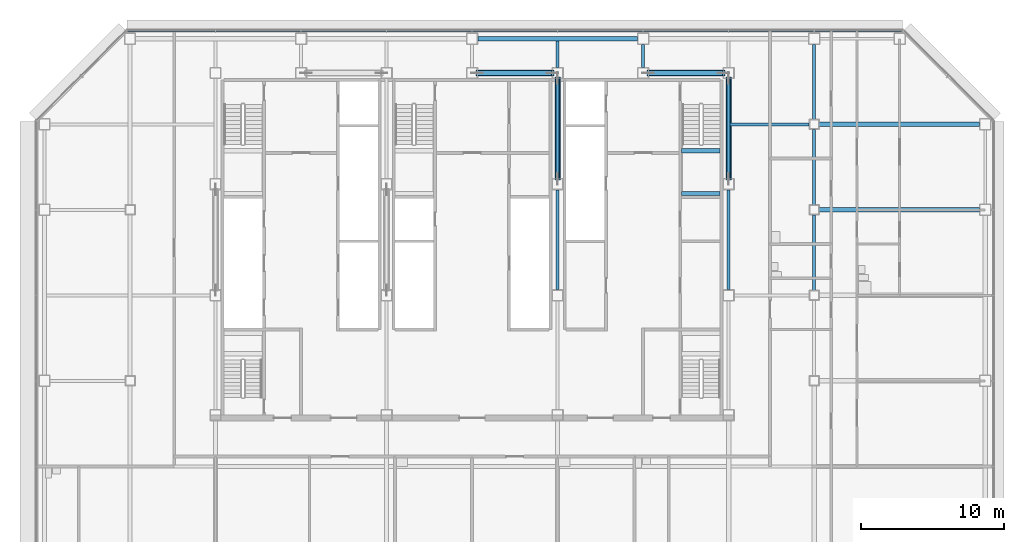
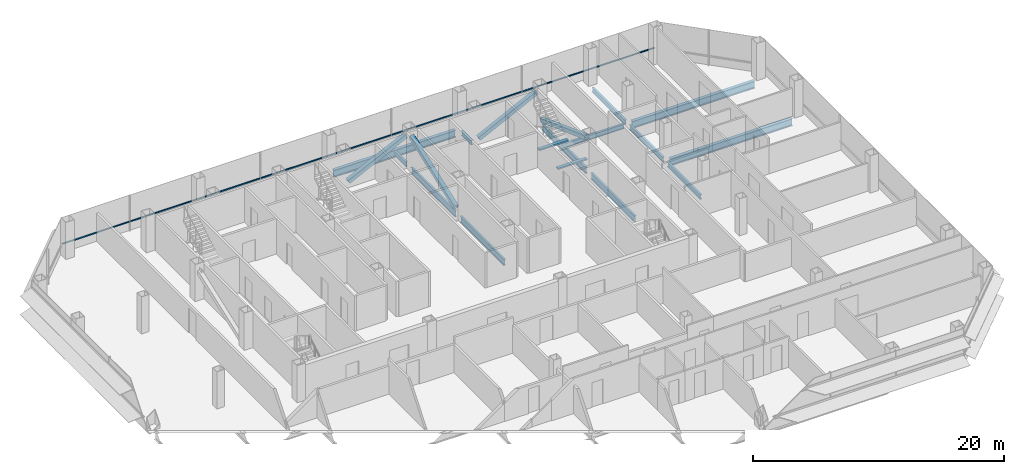
# One storey, part 13 of 25: 15 beams, 5 members, 1 element without a shape of its own.
"""IFC4 building model written with IfcOpenShell, lengths in metres."""

from ifc_helpers import new_model, si_unit, direction, frame, origin, origin_2d, place, context, subcontext, project, spatial, rectangle, hollow_rectangle, i_section, extrude, material, material_profile, profile_set, type_object, element, aggregate, save


model = new_model("IFC4")

# Units and contexts
model_context = context("Model", 3, precision=1e-05, world=origin(), true_north=direction((0.0, 1.0)))
body_context = subcontext(model_context, "Body", "Model", "MODEL_VIEW")
ifc_project = project(units=[si_unit("LENGTHUNIT", "METRE"), si_unit("AREAUNIT", "SQUARE_METRE"), si_unit("VOLUMEUNIT", "CUBIC_METRE"), si_unit("PLANEANGLEUNIT", "RADIAN"), si_unit("MASSUNIT", "GRAM", prefix="KILO")], contexts=[model_context])

# Site, building, storey
site_placement = place(None, origin())
site = spatial("IfcSite", under=ifc_project, at=site_placement, CompositionType="ELEMENT")
building_placement = place(site_placement, origin())
building = spatial("IfcBuilding", under=site, at=building_placement, Name="Sorahane Residences", CompositionType="ELEMENT")
storey_placement = place(building_placement, frame((0.0, 0.0, 119.60009765625)))
storey = spatial("IfcBuildingStorey", under=building, at=storey_placement, Name="L26", CompositionType="ELEMENT", Elevation=119.60009765625)

# Members
ifc_material_1 = material(Name="Steel Q355B", Category="steel")
ifc_material_profile_1 = material_profile(ifc_material_1, hollow_rectangle(XDim=0.39990234375, YDim=0.39990234375, WallThickness=0.02001953125, InnerFilletRadius=0.010009765625, OuterFilletRadius=0.030029296875, at=origin_2d()), Name="RHS 400x400x20")
ifc_profile_set_1 = profile_set([ifc_material_profile_1], Name="Steel Q355B")
member_type_1 = type_object("IfcMemberType", Name="Core brace RHS 400x400x20 Q355B", PredefinedType="BRACE", material=ifc_profile_set_1)
for number, where, z_axis, x_axis, name in (
    (1, (24.346923828125, 45.60009765625, 0.173583984375), (0.896480070819, 0.0, 0.443084058192), (0.0, 1.0, 0.0), "Core brace L26 y45.6-4"),
    (2, (36.346923828125, 45.60009765625, 0.173583984375), (0.896480070819, 0.0, 0.443084058192), (0.0, 1.0, 0.0), "Core brace L26 y45.6-6"),
):
    element("IfcMember", number, at=place(storey_placement, frame(where, z_axis=z_axis, x_axis=x_axis)), inside=storey, type_object=member_type_1, Name=name, PredefinedType="BRACE", context=body_context, shape_type="SweptSolid", body=[
        extrude(hollow_rectangle(XDim=0.39990234375, YDim=0.39990234375, WallThickness=0.02001953125, InnerFilletRadius=0.010009765625, OuterFilletRadius=0.030029296875, at=origin_2d()), origin(), (0.0, 0.0, 1.0), 5.9189453125),
    ])
for number, where, z_axis, x_axis, name in (
    (3, (42.0, 45.241455078125, 0.184814453125), (0.0, -0.938733651637, 0.344643484319), (1.0, 0.0, 0.0), "Core brace L26 x42-3"),
    (4, (30.0, 38.15869140625, 0.184814453125), (0.0, 0.938733651637, 0.344643484319), (-1.0, 0.0, 0.0), "Core brace L26 x30-2"),
):
    element("IfcMember", number, at=place(storey_placement, frame(where, z_axis=z_axis, x_axis=x_axis)), inside=storey, type_object=member_type_1, Name=name, PredefinedType="BRACE", context=body_context, shape_type="SweptSolid", body=[
        extrude(hollow_rectangle(XDim=0.39990234375, YDim=0.39990234375, WallThickness=0.02001953125, InnerFilletRadius=0.010009765625, OuterFilletRadius=0.030029296875, at=origin_2d()), origin(), (0.0, 0.0, 1.0), 7.544921875),
    ])

# Curtain wall, member
ifc_material_2 = material(Name="Dark low-e glass and black anodised aluminium", Category="aluminium")
curtain_wall_type = type_object("IfcCurtainWallType", Name="Curtain wall CW-1 Typical unitised wall", PredefinedType="NOTDEFINED", material=ifc_material_2)
curtain_wall_placement = place(storey_placement, origin())
curtain_wall = element("IfcCurtainWall", 5, at=curtain_wall_placement, inside=storey, type_object=curtain_wall_type, Name="CW-1 curtain wall L26 N1", PredefinedType="NOTDEFINED")
ifc_material_3 = material(Name="Black anodised aluminium", Category="aluminium")
ifc_material_profile_2 = material_profile(ifc_material_3, rectangle(XDim=0.10009765625, YDim=0.06005859375, at=origin_2d()), Name="Curtain wall transom CW-1 black anodised aluminium 60x100")
ifc_profile_set_2 = profile_set([ifc_material_profile_2], Name="Black anodised aluminium")
member_type_2 = type_object("IfcMemberType", Name="Curtain wall transom CW-1 black anodised aluminium 60x100", PredefinedType="USERDEFINED", material=ifc_profile_set_2)
member_placement = place(storey_placement, frame((54.198486328125, 48.530029296875, 0.89990234375), z_axis=(-1.0, 0.0, 0.0), x_axis=(0.0, -1.0, 0.0)))
member = element("IfcMember", 6, at=member_placement, type_object=member_type_2, Name="CW-1 transom L26 N1", ObjectType="TRANSOM", PredefinedType="USERDEFINED", context=body_context, shape_type="SweptSolid", body=[
    extrude(rectangle(XDim=0.10009765625, YDim=0.06005859375, at=origin_2d()), origin(), (0.0, 0.0, 1.0), 54.39697265625),
])
aggregate(curtain_wall, [member])

# Beams
ifc_material_4 = material(Name="Concrete C40", Category="concrete")
ifc_material_profile_3 = material_profile(ifc_material_4, rectangle(XDim=0.300048828125, YDim=0.139892578125, at=origin_2d()), Name="300x140")
ifc_profile_set_3 = profile_set([ifc_material_profile_3], Name="Concrete C40")
beam_type_1 = type_object("IfcBeamType", Name="RC landing beam 300 x 140 Concrete C40", PredefinedType="BEAM", material=ifc_profile_set_3)
for number, where, z_axis, x_axis, name in (
    (7, (38.699951171875, 37.14990234375, 1.52978515625), (1.0, 0.0, 0.0), (0.0, 1.0, 0.0), "Landing beam"),
    (8, (38.699951171875, 40.14990234375, 1.52978515625), (1.0, 0.0, 0.0), (0.0, 1.0, 0.0), "Landing beam"),
):
    element("IfcBeam", number, at=place(storey_placement, frame(where, z_axis=z_axis, x_axis=x_axis)), inside=storey, type_object=beam_type_1, Name=name, PredefinedType="BEAM", context=body_context, shape_type="SweptSolid", body=[
        extrude(rectangle(XDim=0.300048828125, YDim=0.139892578125, at=origin_2d()), origin(), (0.0, 0.0, 1.0), 2.699951171875),
    ])
ifc_material_5 = material(Name="Steel Q355B", Category="steel")
ifc_material_profile_4 = material_profile(ifc_material_5, i_section(OverallWidth=0.199951171875, OverallDepth=0.449951171875, WebThickness=0.009033203125, FlangeThickness=0.013916015625, FilletRadius=0.02001953125, at=origin_2d()), Name="HN 450x200x9x14")
ifc_profile_set_4 = profile_set([ifc_material_profile_4], Name="Steel Q355B")
beam_type_2 = type_object("IfcBeamType", Name="Steel floor beam HN 450x200x9x14 Q355B", PredefinedType="BEAM", material=ifc_profile_set_4)
beam_1_placement = place(storey_placement, frame((30.0, 46.0, -0.405029296875), z_axis=(0.0, 1.0, 0.0), x_axis=(-1.0, 0.0, 0.0)))
element("IfcBeam", 9, at=beam_1_placement, inside=storey, type_object=beam_type_2, Name="Beam L26 049", PredefinedType="BEAM", context=body_context, shape_type="SweptSolid", body=[
    extrude(i_section(OverallWidth=0.199951171875, OverallDepth=0.449951171875, WebThickness=0.009033203125, FlangeThickness=0.013916015625, FilletRadius=0.02001953125, at=origin_2d()), origin(), (0.0, 0.0, 1.0), 1.85009765625),
])
beam_2_placement = place(storey_placement, frame((36.0, 46.0, -0.405029296875), z_axis=(0.0, 1.0, 0.0), x_axis=(-1.0, 0.0, 0.0)))
element("IfcBeam", 10, at=beam_2_placement, inside=storey, type_object=beam_type_2, Name="Beam L26 051", PredefinedType="BEAM", context=body_context, shape_type="SweptSolid", body=[
    extrude(i_section(OverallWidth=0.199951171875, OverallDepth=0.449951171875, WebThickness=0.009033203125, FlangeThickness=0.013916015625, FilletRadius=0.02001953125, at=origin_2d()), origin(), (0.0, 0.0, 1.0), 1.60009765625),
])
for number, where, z_axis, x_axis, name in (
    (11, (48.0, 30.35009765625, -0.405029296875), (0.0, 1.0, 0.0), (-1.0, 0.0, 0.0), "Beam L26 061"),
    (12, (48.0, 36.35009765625, -0.405029296875), (0.0, 1.0, 0.0), (-1.0, 0.0, 0.0), "Beam L26 062"),
):
    element("IfcBeam", number, at=place(storey_placement, frame(where, z_axis=z_axis, x_axis=x_axis)), inside=storey, type_object=beam_type_2, Name=name, PredefinedType="BEAM", context=body_context, shape_type="SweptSolid", body=[
        extrude(i_section(OverallWidth=0.199951171875, OverallDepth=0.449951171875, WebThickness=0.009033203125, FlangeThickness=0.013916015625, FilletRadius=0.02001953125, at=origin_2d()), origin(), (0.0, 0.0, 1.0), 5.2998046875),
    ])
beam_3_placement = place(storey_placement, frame((48.0, 42.35009765625, -0.405029296875), z_axis=(0.0, 1.0, 0.0), x_axis=(-1.0, 0.0, 0.0)))
element("IfcBeam", 13, at=beam_3_placement, inside=storey, type_object=beam_type_2, Name="Beam L26 063", PredefinedType="BEAM", context=body_context, shape_type="SweptSolid", body=[
    extrude(i_section(OverallWidth=0.199951171875, OverallDepth=0.449951171875, WebThickness=0.009033203125, FlangeThickness=0.013916015625, FilletRadius=0.02001953125, at=origin_2d()), origin(), (0.0, 0.0, 1.0), 5.25),
])
beam_4_placement = place(storey_placement, frame((42.10009765625, 42.0, -0.405029296875), z_axis=(1.0, 0.0, 0.0), x_axis=(0.0, 1.0, 0.0)))
element("IfcBeam", 14, at=beam_4_placement, inside=storey, type_object=beam_type_2, Name="Beam L26 091", PredefinedType="BEAM", context=body_context, shape_type="SweptSolid", body=[
    extrude(i_section(OverallWidth=0.199951171875, OverallDepth=0.449951171875, WebThickness=0.009033203125, FlangeThickness=0.013916015625, FilletRadius=0.02001953125, at=origin_2d()), origin(), (0.0, 0.0, 1.0), 5.5498046875),
])
ifc_material_6 = material(Name="Steel Q355B", Category="steel")
ifc_material_profile_5 = material_profile(ifc_material_6, i_section(OverallWidth=0.199951171875, OverallDepth=0.60009765625, WebThickness=0.010986328125, FlangeThickness=0.01708984375, FilletRadius=0.02392578125, at=origin_2d()), Name="HN 600x200x11x17")
ifc_profile_set_5 = profile_set([ifc_material_profile_5], Name="Steel Q355B")
beam_type_3 = type_object("IfcBeamType", Name="Steel floor beam HN 600x200x11x17 Q355B", PredefinedType="BEAM", material=ifc_profile_set_5)
for number, where, z_axis, x_axis, name in (
    (15, (30.0, 30.39990234375, -0.47998046875), (0.0, 1.0, 0.0), (-1.0, 0.0, 0.0), "Beam L26 047"),
    (16, (30.0, 38.199951171875, -0.47998046875), (0.0, 1.0, 0.0), (-1.0, 0.0, 0.0), "Beam L26 048"),
    (17, (42.0, 30.39990234375, -0.47998046875), (0.0, 1.0, 0.0), (-1.0, 0.0, 0.0), "Beam L26 055"),
    (18, (42.0, 38.199951171875, -0.47998046875), (0.0, 1.0, 0.0), (-1.0, 0.0, 0.0), "Beam L26 056"),
):
    element("IfcBeam", number, at=place(storey_placement, frame(where, z_axis=z_axis, x_axis=x_axis)), inside=storey, type_object=beam_type_3, Name=name, PredefinedType="BEAM", context=body_context, shape_type="SweptSolid", body=[
        extrude(i_section(OverallWidth=0.199951171875, OverallDepth=0.60009765625, WebThickness=0.010986328125, FlangeThickness=0.01708984375, FilletRadius=0.02392578125, at=origin_2d()), origin(), (0.0, 0.0, 1.0), 7.0),
    ])
ifc_material_7 = material(Name="Steel Q355B", Category="steel")
ifc_material_profile_6 = material_profile(ifc_material_7, i_section(OverallWidth=0.300048828125, OverallDepth=0.699951171875, WebThickness=0.012939453125, FlangeThickness=0.02392578125, FilletRadius=0.028076171875, at=origin_2d()), Name="HN 700x300x13x24")
ifc_profile_set_6 = profile_set([ifc_material_profile_6], Name="Steel Q355B")
beam_type_4 = type_object("IfcBeamType", Name="Steel floor beam HN 700x300x13x24 Q355B", PredefinedType="BEAM", material=ifc_profile_set_6)
beam_5_placement = place(storey_placement, frame((48.35009765625, 36.0, -0.530029296875), z_axis=(1.0, 0.0, 0.0), x_axis=(0.0, 1.0, 0.0)))
element("IfcBeam", 19, at=beam_5_placement, inside=storey, type_object=beam_type_4, Name="Beam L26 014", PredefinedType="BEAM", context=body_context, shape_type="SweptSolid", body=[
    extrude(i_section(OverallWidth=0.300048828125, OverallDepth=0.699951171875, WebThickness=0.012939453125, FlangeThickness=0.02392578125, FilletRadius=0.028076171875, at=origin_2d()), origin(), (0.0, 0.0, 1.0), 11.25),
])
beam_6_placement = place(storey_placement, frame((24.39990234375, 48.0, -0.530029296875), z_axis=(1.0, 0.0, 0.0), x_axis=(0.0, 1.0, 0.0)))
element("IfcBeam", 20, at=beam_6_placement, inside=storey, type_object=beam_type_4, Name="Beam L26 017", PredefinedType="BEAM", context=body_context, shape_type="SweptSolid", body=[
    extrude(i_section(OverallWidth=0.300048828125, OverallDepth=0.699951171875, WebThickness=0.012939453125, FlangeThickness=0.02392578125, FilletRadius=0.028076171875, at=origin_2d()), origin(), (0.0, 0.0, 1.0), 11.2001953125),
])
beam_7_placement = place(storey_placement, frame((48.35009765625, 42.0, -0.530029296875), z_axis=(1.0, 0.0, 0.0), x_axis=(0.0, 1.0, 0.0)))
element("IfcBeam", 21, at=beam_7_placement, inside=storey, type_object=beam_type_4, Name="Beam L26 092", PredefinedType="BEAM", context=body_context, shape_type="SweptSolid", body=[
    extrude(i_section(OverallWidth=0.300048828125, OverallDepth=0.699951171875, WebThickness=0.012939453125, FlangeThickness=0.02392578125, FilletRadius=0.028076171875, at=origin_2d()), origin(), (0.0, 0.0, 1.0), 11.25),
])

save(model, "model.ifc")
